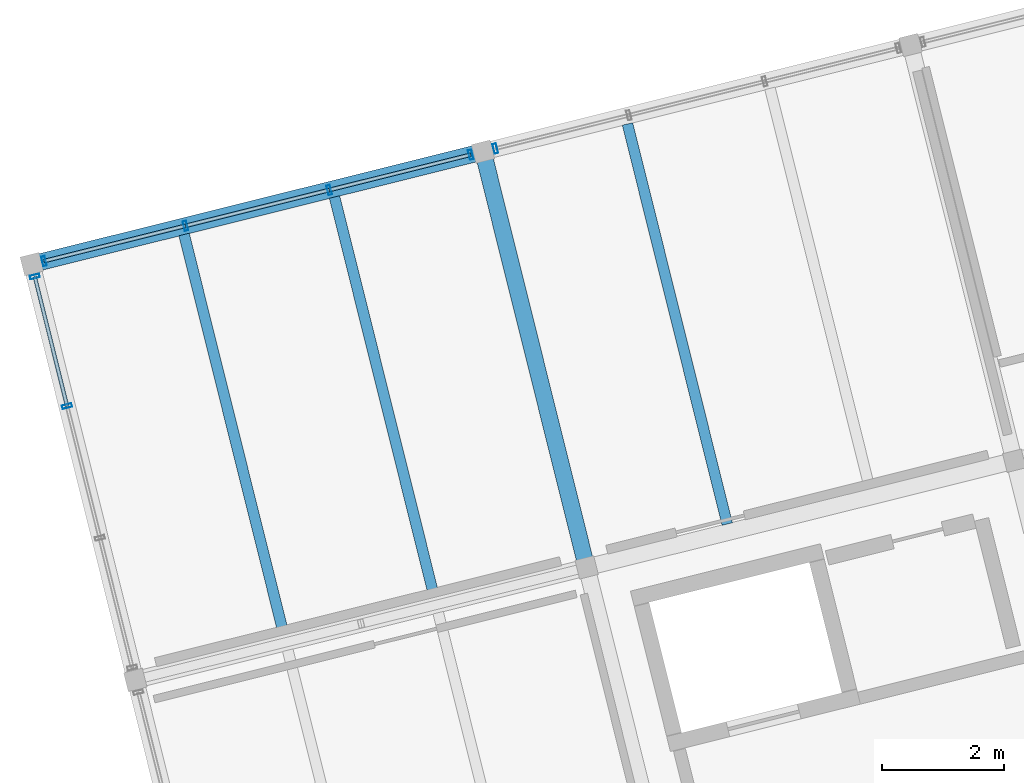
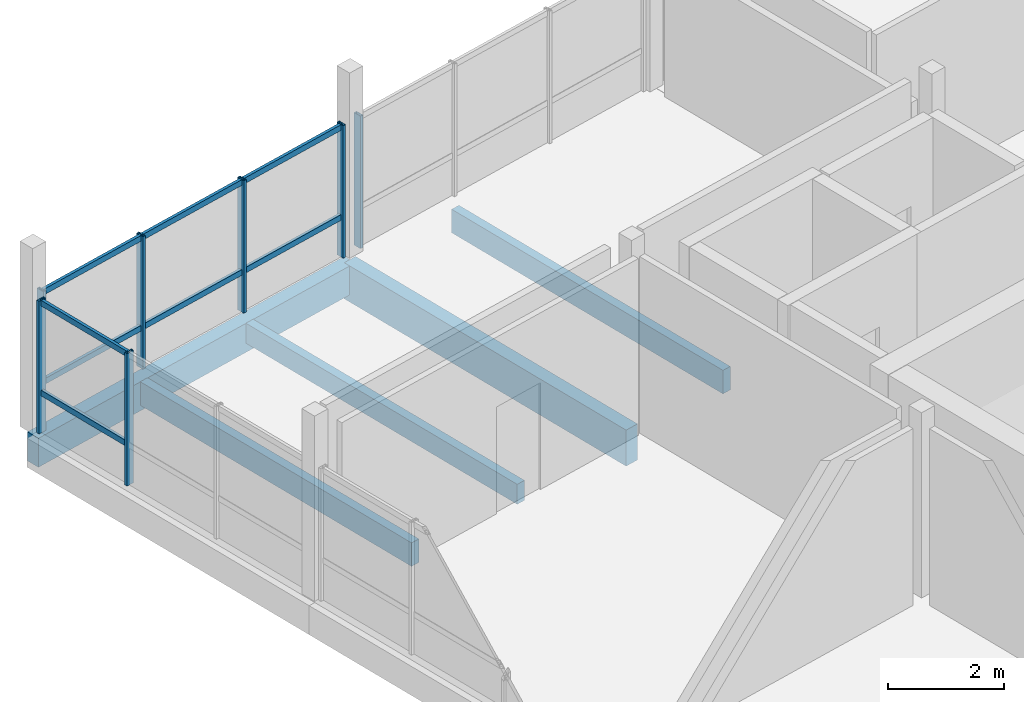
# One storey, part 11 of 25: 15 members, 5 beams, 3 elements without a shape of their own.
"""IFC4 building model written with IfcOpenShell, lengths in metres."""

from ifc_helpers import new_model, si_unit, direction, frame, origin, origin_2d, place, context, subcontext, project, spatial, rectangle, hollow_rectangle, extrude, material, layer, layer_set, material_profile, profile_set, type_object, element, aggregate, save


model = new_model("IFC4")

# Units and contexts
model_context = context("Model", 3, precision=1e-05, world=origin(), true_north=direction((0.0, 1.0)))
body_context = subcontext(model_context, "Body", "Model", "MODEL_VIEW")
ifc_project = project(units=[si_unit("LENGTHUNIT", "METRE"), si_unit("AREAUNIT", "SQUARE_METRE"), si_unit("VOLUMEUNIT", "CUBIC_METRE"), si_unit("PLANEANGLEUNIT", "RADIAN"), si_unit("MASSUNIT", "GRAM", prefix="KILO")], contexts=[model_context])

# Site, building, storey
site_placement = place(None, origin())
site = spatial("IfcSite", under=ifc_project, at=site_placement, CompositionType="ELEMENT")
building_placement = place(site_placement, origin())
building = spatial("IfcBuilding", under=site, at=building_placement, Name="Meriwether Solvik Hall", CompositionType="ELEMENT")
storey_placement = place(building_placement, frame((0.0, 0.0, 49.5)))
storey = spatial("IfcBuildingStorey", under=building, at=storey_placement, Name="L12", CompositionType="ELEMENT", Elevation=49.5)

# Beams
ifc_material_1 = material(Name="Glulam Douglas-Fir 24F-V8 GL28h", Category="wood")
ifc_material_profile_1 = material_profile(ifc_material_1, rectangle(XDim=0.27294921875, YDim=0.610107421875, at=origin_2d()), Name="GLB-273X610")
ifc_profile_set_1 = profile_set([ifc_material_profile_1], Name="Glulam Douglas-Fir 24F-V8 GL28h")
beam_type_1 = type_object("IfcBeamType", Name="BM-GL-273X610", PredefinedType="SPANDREL", material=ifc_profile_set_1)
beam_1_placement = place(storey_placement, frame((61.826171875, 68.3681640625, -0.485107421875), z_axis=(0.970295366785, 0.241923337436, 0.0), x_axis=(-0.241923337436, 0.970295366785, 0.0)))
element("IfcBeam", 1, at=beam_1_placement, inside=storey, type_object=beam_type_1, Name="Tower Girder TE:T1-T2 (L12)", PredefinedType="SPANDREL", context=body_context, shape_type="SweptSolid", body=[
    extrude(rectangle(XDim=0.27294921875, YDim=0.610107421875, at=origin_2d()), origin(), (0.0, 0.0, 1.0), 7.60009765625),
])
ifc_material_2 = material(Name="Glulam Douglas-Fir 24F-V8 GL28h", Category="wood")
ifc_material_profile_2 = material_profile(ifc_material_2, rectangle(XDim=0.27294921875, YDim=0.760009765625, at=origin_2d()), Name="GLB-273X760")
ifc_profile_set_2 = profile_set([ifc_material_profile_2], Name="Glulam Douglas-Fir 24F-V8 GL28h")
beam_type_2 = type_object("IfcBeamType", Name="BM-GL-273X760", PredefinedType="BEAM", material=ifc_profile_set_2)
beam_2_placement = place(storey_placement, frame((70.893798828125, 63.414794921875, -0.56005859375), z_axis=(-0.241911879182, 0.970298223594, 0.0), x_axis=(-0.970298223594, -0.241911879182, 0.0)))
element("IfcBeam", 2, at=beam_2_placement, inside=storey, type_object=beam_type_2, Name="Tower Girder T2:TD-TE (L12)", PredefinedType="BEAM", context=body_context, shape_type="SweptSolid", body=[
    extrude(rectangle(XDim=0.27294921875, YDim=0.760009765625, at=origin_2d()), origin(), (0.0, 0.0, 1.0), 7.0),
])

# Curtain wall, members
ifc_material_3 = material(Name="Thermally Broken Anodised Aluminium 6063-T6 and Low-E Glass", Category="aluminium")
ifc_layer_1 = layer(ifc_material_3, 0.179931640625)
ifc_layer_set_1 = layer_set([ifc_layer_1], Name="Thermally Broken Anodised Aluminium 6063-T6 and Low-E Glass")
curtain_wall_type_1 = type_object("IfcCurtainWallType", Name="CW-UNIT-E", PredefinedType="USERDEFINED", material=ifc_layer_set_1)
curtain_wall_1_placement = place(storey_placement, origin())
curtain_wall_1 = element("IfcCurtainWall", 3, at=curtain_wall_1_placement, inside=storey, type_object=curtain_wall_type_1, Name="Curtain Wall E2_B0 (L12)", ObjectType="UNITISED CURTAIN WALL", PredefinedType="USERDEFINED")
ifc_material_4 = material(Name="Anodised Aluminium 6063-T6", Category="aluminium")
ifc_material_profile_3 = material_profile(ifc_material_4, hollow_rectangle(XDim=0.06005859375, YDim=0.159912109375, WallThickness=0.00390625, at=origin_2d()), Name="CWM-60X160")
ifc_profile_set_3 = profile_set([ifc_material_profile_3], Name="Anodised Aluminium 6063-T6")
member_type_1 = type_object("IfcMemberType", Name="CW-MUL-60X160", PredefinedType="MULLION", material=ifc_profile_set_3)
member_1_placement = place(storey_placement, frame((62.027587890625, 68.41845703125, 0.0), z_axis=(0.0, 0.0, 1.0), x_axis=(0.970295720361, 0.241921919325, 0.0)))
member_1 = element("IfcMember", 4, at=member_1_placement, type_object=member_type_1, Name="Curtain Wall Mullion 1", PredefinedType="MULLION", context=body_context, shape_type="SweptSolid", body=[
    extrude(hollow_rectangle(XDim=0.06005859375, YDim=0.159912109375, WallThickness=0.00390625, at=origin_2d()), origin(), (0.0, 0.0, 1.0), 2.7900390625),
])
member_2_placement = place(storey_placement, frame((64.339111328125, 68.994873046875, 0.0), z_axis=(0.0, 0.0, 1.0), x_axis=(0.970295720361, 0.241921919325, 0.0)))
member_2 = element("IfcMember", 5, at=member_2_placement, type_object=member_type_1, Name="Curtain Wall Mullion 2", PredefinedType="MULLION", context=body_context, shape_type="SweptSolid", body=[
    extrude(hollow_rectangle(XDim=0.06005859375, YDim=0.159912109375, WallThickness=0.00390625, at=origin_2d()), origin(), (0.0, 0.0, 1.0), 2.7900390625),
])
member_3_placement = place(storey_placement, frame((66.6875, 69.580322265625, 0.0), z_axis=(0.0, 0.0, 1.0), x_axis=(0.970295720361, 0.241921919325, 0.0)))
member_3 = element("IfcMember", 6, at=member_3_placement, type_object=member_type_1, Name="Curtain Wall Mullion 3", PredefinedType="MULLION", context=body_context, shape_type="SweptSolid", body=[
    extrude(hollow_rectangle(XDim=0.06005859375, YDim=0.159912109375, WallThickness=0.00390625, at=origin_2d()), origin(), (0.0, 0.0, 1.0), 2.7900390625),
])
member_4_placement = place(storey_placement, frame((68.9990234375, 70.15673828125, 0.0), z_axis=(0.0, 0.0, 1.0), x_axis=(0.970295720361, 0.241921919325, 0.0)))
member_4 = element("IfcMember", 7, at=member_4_placement, type_object=member_type_1, Name="Curtain Wall Mullion 4", PredefinedType="MULLION", context=body_context, shape_type="SweptSolid", body=[
    extrude(hollow_rectangle(XDim=0.06005859375, YDim=0.159912109375, WallThickness=0.00390625, at=origin_2d()), origin(), (0.0, 0.0, 1.0), 2.7900390625),
])

# Curtain wall, member
ifc_material_5 = material(Name="Thermally Broken Anodised Aluminium 6063-T6 and Low-E Glass", Category="aluminium")
ifc_layer_2 = layer(ifc_material_5, 0.179931640625)
ifc_layer_set_2 = layer_set([ifc_layer_2], Name="Thermally Broken Anodised Aluminium 6063-T6 and Low-E Glass")
curtain_wall_type_2 = type_object("IfcCurtainWallType", Name="CW-UNIT-F", PredefinedType="USERDEFINED", material=ifc_layer_set_2)
curtain_wall_2_placement = place(storey_placement, origin())
curtain_wall_2 = element("IfcCurtainWall", 8, at=curtain_wall_2_placement, inside=storey, type_object=curtain_wall_type_2, Name="Curtain Wall E2_B1 (L12)", ObjectType="UNITISED CURTAIN WALL", PredefinedType="USERDEFINED")
member_5_placement = place(storey_placement, frame((69.40185546875, 70.257080078125, 0.0), z_axis=(0.0, 0.0, 1.0), x_axis=(0.970295730764, 0.241921877598, 0.0)))
member_5 = element("IfcMember", 9, at=member_5_placement, type_object=member_type_1, Name="Curtain Wall Mullion 1", PredefinedType="MULLION", context=body_context, shape_type="SweptSolid", body=[
    extrude(hollow_rectangle(XDim=0.06005859375, YDim=0.159912109375, WallThickness=0.00390625, at=origin_2d()), origin(), (0.0, 0.0, 1.0), 2.7900390625),
])
aggregate(curtain_wall_2, [member_5])

# Curtain wall, members
ifc_material_6 = material(Name="Thermally Broken Anodised Aluminium 6063-T6 and Low-E Glass", Category="aluminium")
ifc_layer_3 = layer(ifc_material_6, 0.179931640625)
ifc_layer_set_3 = layer_set([ifc_layer_3], Name="Thermally Broken Anodised Aluminium 6063-T6 and Low-E Glass")
curtain_wall_type_3 = type_object("IfcCurtainWallType", Name="CW-UNIT-B", PredefinedType="USERDEFINED", material=ifc_layer_set_3)
curtain_wall_3_placement = place(storey_placement, origin())
curtain_wall_3 = element("IfcCurtainWall", 10, at=curtain_wall_3_placement, inside=storey, type_object=curtain_wall_type_3, Name="Curtain Wall E3_B3 (L12)", ObjectType="UNITISED CURTAIN WALL", PredefinedType="USERDEFINED")
member_6_placement = place(storey_placement, frame((62.404296875, 66.049560546875, 0.0), z_axis=(0.0, 0.0, 1.0), x_axis=(-0.241921784185, 0.970295754055, 0.0)))
member_6 = element("IfcMember", 11, at=member_6_placement, type_object=member_type_1, Name="Curtain Wall Mullion 3", PredefinedType="MULLION", context=body_context, shape_type="SweptSolid", body=[
    extrude(hollow_rectangle(XDim=0.06005859375, YDim=0.159912109375, WallThickness=0.00390625, at=origin_2d()), origin(), (0.0, 0.0, 1.0), 2.7900390625),
])
member_7_placement = place(storey_placement, frame((61.87646484375, 68.1669921875, 0.0), z_axis=(0.0, 0.0, 1.0), x_axis=(-0.241921784185, 0.970295754055, 0.0)))
member_7 = element("IfcMember", 12, at=member_7_placement, type_object=member_type_1, Name="Curtain Wall Mullion 4", PredefinedType="MULLION", context=body_context, shape_type="SweptSolid", body=[
    extrude(hollow_rectangle(XDim=0.06005859375, YDim=0.159912109375, WallThickness=0.00390625, at=origin_2d()), origin(), (0.0, 0.0, 1.0), 2.7900390625),
])

# Member
ifc_material_7 = material(Name="Anodised Aluminium 6063-T6", Category="aluminium")
ifc_material_profile_4 = material_profile(ifc_material_7, hollow_rectangle(XDim=0.06005859375, YDim=0.1201171875, WallThickness=0.00390625, at=origin_2d()), Name="CWT-60X120")
ifc_profile_set_4 = profile_set([ifc_material_profile_4], Name="Anodised Aluminium 6063-T6")
member_type_2 = type_object("IfcMemberType", Name="CW-TRN-60X120", PredefinedType="USERDEFINED", material=ifc_profile_set_4)
member_8_placement = place(storey_placement, frame((62.027587890625, 68.41845703125, 0.8369140625), z_axis=(0.970287006133, 0.241956867499, 0.0), x_axis=(-0.241956867499, 0.970287006133, 0.0)))
member_8 = element("IfcMember", 13, at=member_8_placement, type_object=member_type_2, Name="Curtain Wall Transom 1-sill", ObjectType="TRANSOM", PredefinedType="USERDEFINED", context=body_context, shape_type="SweptSolid", body=[
    extrude(hollow_rectangle(XDim=0.06005859375, YDim=0.1201171875, WallThickness=0.00390625, at=origin_2d()), origin(), (0.0, 0.0, 1.0), 2.38232421875),
])

member_9_placement = place(storey_placement, frame((62.027587890625, 68.41845703125, 2.72998046875), z_axis=(0.970287006133, 0.241956867499, 0.0), x_axis=(-0.241956867499, 0.970287006133, 0.0)))
member_9 = element("IfcMember", 14, at=member_9_placement, type_object=member_type_2, Name="Curtain Wall Transom 1-head", ObjectType="TRANSOM", PredefinedType="USERDEFINED", context=body_context, shape_type="SweptSolid", body=[
    extrude(hollow_rectangle(XDim=0.06005859375, YDim=0.1201171875, WallThickness=0.00390625, at=origin_2d()), origin(), (0.0, 0.0, 1.0), 2.38232421875),
])

member_10_placement = place(storey_placement, frame((64.339111328125, 68.994873046875, 0.8369140625), z_axis=(0.970302499388, 0.24189472851, 0.0), x_axis=(-0.24189472851, 0.970302499388, 0.0)))
member_10 = element("IfcMember", 15, at=member_10_placement, type_object=member_type_2, Name="Curtain Wall Transom 2-sill", ObjectType="TRANSOM", PredefinedType="USERDEFINED", context=body_context, shape_type="SweptSolid", body=[
    extrude(hollow_rectangle(XDim=0.06005859375, YDim=0.1201171875, WallThickness=0.00390625, at=origin_2d()), origin(), (0.0, 0.0, 1.0), 2.420166015625),
])

member_11_placement = place(storey_placement, frame((64.339111328125, 68.994873046875, 2.72998046875), z_axis=(0.970302499388, 0.24189472851, 0.0), x_axis=(-0.24189472851, 0.970302499388, 0.0)))
member_11 = element("IfcMember", 16, at=member_11_placement, type_object=member_type_2, Name="Curtain Wall Transom 2-head", ObjectType="TRANSOM", PredefinedType="USERDEFINED", context=body_context, shape_type="SweptSolid", body=[
    extrude(hollow_rectangle(XDim=0.06005859375, YDim=0.1201171875, WallThickness=0.00390625, at=origin_2d()), origin(), (0.0, 0.0, 1.0), 2.420166015625),
])

member_12_placement = place(storey_placement, frame((66.6875, 69.580322265625, 0.8369140625), z_axis=(0.970287006133, 0.241956867499, 0.0), x_axis=(-0.241956867499, 0.970287006133, 0.0)))
member_12 = element("IfcMember", 17, at=member_12_placement, type_object=member_type_2, Name="Curtain Wall Transom 3-sill", ObjectType="TRANSOM", PredefinedType="USERDEFINED", context=body_context, shape_type="SweptSolid", body=[
    extrude(hollow_rectangle(XDim=0.06005859375, YDim=0.1201171875, WallThickness=0.00390625, at=origin_2d()), origin(), (0.0, 0.0, 1.0), 2.38232421875),
])

member_13_placement = place(storey_placement, frame((66.6875, 69.580322265625, 2.72998046875), z_axis=(0.970287006133, 0.241956867499, 0.0), x_axis=(-0.241956867499, 0.970287006133, 0.0)))
member_13 = element("IfcMember", 18, at=member_13_placement, type_object=member_type_2, Name="Curtain Wall Transom 3-head", ObjectType="TRANSOM", PredefinedType="USERDEFINED", context=body_context, shape_type="SweptSolid", body=[
    extrude(hollow_rectangle(XDim=0.06005859375, YDim=0.1201171875, WallThickness=0.00390625, at=origin_2d()), origin(), (0.0, 0.0, 1.0), 2.38232421875),
])

aggregate(curtain_wall_1, [member_1, member_2, member_3, member_4, member_8, member_9, member_10, member_11, member_12, member_13])

member_14_placement = place(storey_placement, frame((62.404296875, 66.049560546875, 0.8369140625), z_axis=(-0.241877470874, 0.970306801524, 0.0), x_axis=(-0.970306801524, -0.241877470874, 0.0)))
member_14 = element("IfcMember", 19, at=member_14_placement, type_object=member_type_2, Name="Curtain Wall Transom 3-sill", ObjectType="TRANSOM", PredefinedType="USERDEFINED", context=body_context, shape_type="SweptSolid", body=[
    extrude(hollow_rectangle(XDim=0.06005859375, YDim=0.1201171875, WallThickness=0.00390625, at=origin_2d()), origin(), (0.0, 0.0, 1.0), 2.18212890625),
])

member_15_placement = place(storey_placement, frame((62.404296875, 66.049560546875, 2.72998046875), z_axis=(-0.241877470874, 0.970306801524, 0.0), x_axis=(-0.970306801524, -0.241877470874, 0.0)))
member_15 = element("IfcMember", 20, at=member_15_placement, type_object=member_type_2, Name="Curtain Wall Transom 3-head", ObjectType="TRANSOM", PredefinedType="USERDEFINED", context=body_context, shape_type="SweptSolid", body=[
    extrude(hollow_rectangle(XDim=0.06005859375, YDim=0.1201171875, WallThickness=0.00390625, at=origin_2d()), origin(), (0.0, 0.0, 1.0), 2.18212890625),
])

aggregate(curtain_wall_3, [member_6, member_7, member_14, member_15])

# Beams
ifc_material_8 = material(Name="Glulam Douglas-Fir 24F-V8 GL28h", Category="wood")
ifc_material_profile_5 = material_profile(ifc_material_8, rectangle(XDim=0.175048828125, YDim=0.419921875, at=origin_2d()), Name="GLJ-175X420")
ifc_profile_set_5 = profile_set([ifc_material_profile_5], Name="Glulam Douglas-Fir 24F-V8 GL28h")
beam_type_3 = type_object("IfcBeamType", Name="JST-GL-175X420", PredefinedType="JOIST", material=ifc_profile_set_5)
beam_3_placement = place(storey_placement, frame((68.404052734375, 62.929443359375, -0.389892578125), z_axis=(-0.241921670289, 0.970295782452, 0.0), x_axis=(-0.970295782452, -0.241921670289, 0.0)))
element("IfcBeam", 21, at=beam_3_placement, inside=storey, type_object=beam_type_3, Name="Glulam Floor Joist T1/TD-J2 (L12)", PredefinedType="JOIST", context=body_context, shape_type="SweptSolid", body=[
    extrude(rectangle(XDim=0.175048828125, YDim=0.419921875, at=origin_2d()), origin(), (0.0, 0.0, 1.0), 6.7373046875),
])
ifc_material_9 = material(Name="Glulam Douglas-Fir 24F-V8 GL28h", Category="wood")
ifc_material_profile_6 = material_profile(ifc_material_9, rectangle(XDim=0.175048828125, YDim=0.4951171875, at=origin_2d()), Name="GLJ-175X495")
ifc_profile_set_6 = profile_set([ifc_material_profile_6], Name="Glulam Douglas-Fir 24F-V8 GL28h")
beam_type_4 = type_object("IfcBeamType", Name="JST-GL-175X495", PredefinedType="JOIST", material=ifc_profile_set_6)
for number, where, z_axis, x_axis, name in (
    (22, (65.94580078125, 62.316650390625, -0.427490234375), (-0.241896058636, 0.970302167789, 0.0), (-0.970302167789, -0.241896058636, 0.0), "Glulam Floor Joist T1/TD-J1 (L12)"),
    (23, (73.190673828125, 64.123046875, -0.427490234375), (-0.241896058636, 0.970302167789, 0.0), (-0.970302167789, -0.241896058636, 0.0), "Glulam Floor Joist T2/TD-J1 (L12)"),
):
    element("IfcBeam", number, at=place(storey_placement, frame(where, z_axis=z_axis, x_axis=x_axis)), inside=storey, type_object=beam_type_4, Name=name, PredefinedType="JOIST", context=body_context, shape_type="SweptSolid", body=[
        extrude(rectangle(XDim=0.175048828125, YDim=0.4951171875, at=origin_2d()), origin(), (0.0, 0.0, 1.0), 6.73681640625),
    ])

save(model, "model.ifc")
